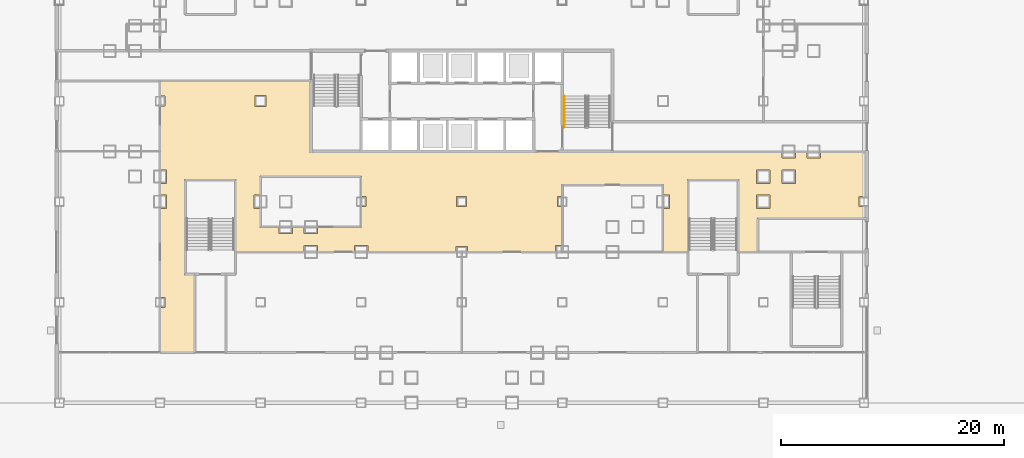
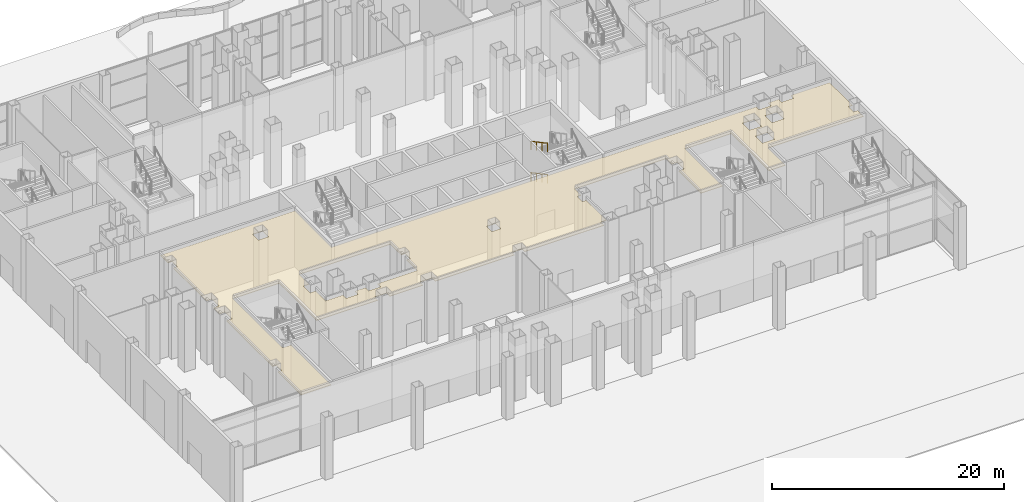
# One storey, part 32 of 38: 2 railings, 1 covering.
"""IFC4 building model written with IfcOpenShell, lengths in metres."""

from ifc_helpers import new_model, si_unit, direction, frame, origin, origin_2d, place, context, subcontext, project, spatial, polyline, circle, outline, extrude, material, layer, layer_set, type_object, element, save


model = new_model("IFC4")

# Units and contexts
model_context = context("Model", 3, precision=1e-05, world=origin(), true_north=direction((0.0, 1.0)))
body_context = subcontext(model_context, "Body", "Model", "MODEL_VIEW")
ifc_project = project(units=[si_unit("LENGTHUNIT", "METRE"), si_unit("AREAUNIT", "SQUARE_METRE"), si_unit("VOLUMEUNIT", "CUBIC_METRE"), si_unit("PLANEANGLEUNIT", "RADIAN"), si_unit("MASSUNIT", "GRAM", prefix="KILO")], contexts=[model_context])

# Site, building, storey
site_placement = place(None, origin())
site = spatial("IfcSite", under=ifc_project, at=site_placement, CompositionType="ELEMENT")
building_placement = place(site_placement, origin())
building = spatial("IfcBuilding", under=site, at=building_placement, Name="Caravel Reach Hotel and Residences", CompositionType="ELEMENT")
storey_placement = place(building_placement, origin())
storey = spatial("IfcBuildingStorey", under=building, at=storey_placement, Name="L00", CompositionType="ELEMENT", Elevation=0.0)

# Covering
ifc_material_1 = material(Name="Mineral fibre ceiling tile")
ifc_layer = layer(ifc_material_1, 0.050048828125)
ifc_layer_set = layer_set([ifc_layer], Name="CL1 Suspended ceiling 50")
covering_type = type_object("IfcCoveringType", Name="CL1 Suspended ceiling 50", PredefinedType="CEILING", material=ifc_layer_set)
covering_placement = place(storey_placement, frame((0.0, 0.0, 5.800048828125)))
element("IfcCovering", 1, at=covering_placement, inside=storey, type_object=covering_type, Name="L00 ceiling Hotel lobby 2", PredefinedType="CEILING", context=body_context, shape_type="SweptSolid", body=[
    extrude(outline(polyline([(17.949951171875, 28.75), (4.550048828125, 28.75), (4.550048828125, 27.449951171875), (4.949951171875, 27.449951171875), (4.949951171875, 26.550048828125), (4.550048828125, 26.550048828125), (4.550048828125, 20.85009765625), (5.10009765625, 20.85009765625), (5.10009765625, 19.64990234375), (4.550048828125, 19.64990234375), (4.550048828125, 18.60009765625), (5.10009765625, 18.60009765625), (5.10009765625, 17.39990234375), (4.550048828125, 17.39990234375), (4.550048828125, 9.449951171875), (4.949951171875, 9.449951171875), (4.949951171875, 8.550048828125), (4.550048828125, 8.550048828125), (4.550048828125, 4.550048828125), (7.550048828125, 4.550048828125), (7.550048828125, 11.449951171875), (6.699951171875, 11.449951171875), (6.699951171875, 20.0), (11.300048828125, 20.0), (11.300048828125, 13.550048828125), (17.39990234375, 13.550048828125), (17.39990234375, 14.10009765625), (18.60009765625, 14.10009765625), (18.60009765625, 13.550048828125), (21.89990234375, 13.550048828125), (21.89990234375, 14.10009765625), (23.10009765625, 14.10009765625), (23.10009765625, 13.550048828125), (31.0, 13.550048828125), (31.0, 14.0), (32.0, 14.0), (32.0, 13.550048828125), (39.89990234375, 13.550048828125), (39.89990234375, 14.10009765625), (40.449951171875, 14.10009765625), (40.449951171875, 17.550048828125), (40.050048828125, 17.550048828125), (40.050048828125, 18.449951171875), (40.449951171875, 18.449951171875), (40.449951171875, 19.550048828125), (49.550048828125, 19.550048828125), (49.550048828125, 18.60009765625), (50.10009765625, 18.60009765625), (50.10009765625, 17.39990234375), (49.550048828125, 17.39990234375), (49.550048828125, 13.550048828125), (51.699951171875, 13.550048828125), (51.699951171875, 20.0), (56.300048828125, 20.0), (56.300048828125, 13.550048828125), (57.949951171875, 13.550048828125), (57.949951171875, 16.550048828125), (67.449951171875, 16.550048828125), (67.449951171875, 17.550048828125), (67.050048828125, 17.550048828125), (67.050048828125, 18.449951171875), (67.449951171875, 18.449951171875), (67.449951171875, 22.39990234375), (63.60009765625, 22.39990234375), (63.60009765625, 21.89990234375), (62.39990234375, 21.89990234375), (62.39990234375, 22.39990234375), (61.35009765625, 22.39990234375), (61.35009765625, 21.89990234375), (60.14990234375, 21.89990234375), (60.14990234375, 22.39990234375), (44.949951171875, 22.39990234375), (44.949951171875, 22.449951171875), (17.949951171875, 22.449951171875), (17.949951171875, 28.75)]), holes=[polyline([(18.60009765625, 15.14990234375), (17.39990234375, 15.14990234375), (17.39990234375, 15.699951171875), (16.35009765625, 15.699951171875), (16.35009765625, 15.14990234375), (15.14990234375, 15.14990234375), (15.14990234375, 15.699951171875), (13.449951171875, 15.699951171875), (13.449951171875, 17.39990234375), (12.89990234375, 17.39990234375), (12.89990234375, 18.60009765625), (13.449951171875, 18.60009765625), (13.449951171875, 20.300048828125), (22.550048828125, 20.300048828125), (22.550048828125, 18.449951171875), (22.949951171875, 18.449951171875), (22.949951171875, 17.550048828125), (22.550048828125, 17.550048828125), (22.550048828125, 15.699951171875), (18.60009765625, 15.699951171875), (18.60009765625, 15.14990234375)]), polyline([(57.89990234375, 18.60009765625), (59.10009765625, 18.60009765625), (59.10009765625, 17.39990234375), (57.89990234375, 17.39990234375), (57.89990234375, 18.60009765625)]), polyline([(59.10009765625, 20.85009765625), (59.10009765625, 19.64990234375), (57.89990234375, 19.64990234375), (57.89990234375, 20.85009765625), (59.10009765625, 20.85009765625)]), polyline([(61.35009765625, 19.64990234375), (60.14990234375, 19.64990234375), (60.14990234375, 20.85009765625), (61.35009765625, 20.85009765625), (61.35009765625, 19.64990234375)]), polyline([(14.0, 26.5), (13.0, 26.5), (13.0, 27.5), (14.0, 27.5), (14.0, 26.5)]), polyline([(31.949951171875, 17.550048828125), (31.050048828125, 17.550048828125), (31.050048828125, 18.449951171875), (31.949951171875, 18.449951171875), (31.949951171875, 17.550048828125)])]), origin(), (0.0, 0.0, 1.0), 0.050048828125),
])

# Railings
ifc_material_2 = material(Name="Stainless steel handrail", Category="steel")
railing_type = type_object("IfcRailingType", Name="Handrail 900", PredefinedType="HANDRAIL", material=ifc_material_2)
for number, where, name in (
    (2, (40.675048828125, 27.449951171875, 1.800048828125), "L00 ST-B stair handrail 2"),
    (3, (40.675048828125, 27.449951171875, 5.10009765625), "L00 ST-B stair handrail 4"),
):
    element("IfcRailing", number, at=place(storey_placement, frame(where)), inside=storey, type_object=railing_type, Name=name, PredefinedType="HANDRAIL", context=body_context, shape_type="SweptSolid", body=[
        extrude(circle(Radius=0.02392578125, at=origin_2d()), frame((0.0, 0.0, 0.8759765625), z_axis=(0.0, -0.881483397762, 0.472215014025), x_axis=(1.0, 0.0, 0.0)), (0.0, 0.0, 1.0), 3.176513671875),
        extrude(circle(Radius=0.02099609375, at=origin_2d()), origin(), (0.0, 0.0, 1.0), 0.851806640625),
        extrude(circle(Radius=0.02099609375, at=origin_2d()), frame((0.0, -0.933349609375, 0.5)), (0.0, 0.0, 1.0), 0.851806640625),
        extrude(circle(Radius=0.02099609375, at=origin_2d()), frame((0.0, -1.86669921875, 1.0)), (0.0, 0.0, 1.0), 0.851806640625),
        extrude(circle(Radius=0.02099609375, at=origin_2d()), frame((0.0, -2.800048828125, 1.5)), (0.0, 0.0, 1.0), 0.851806640625),
    ])

save(model, "model.ifc")
